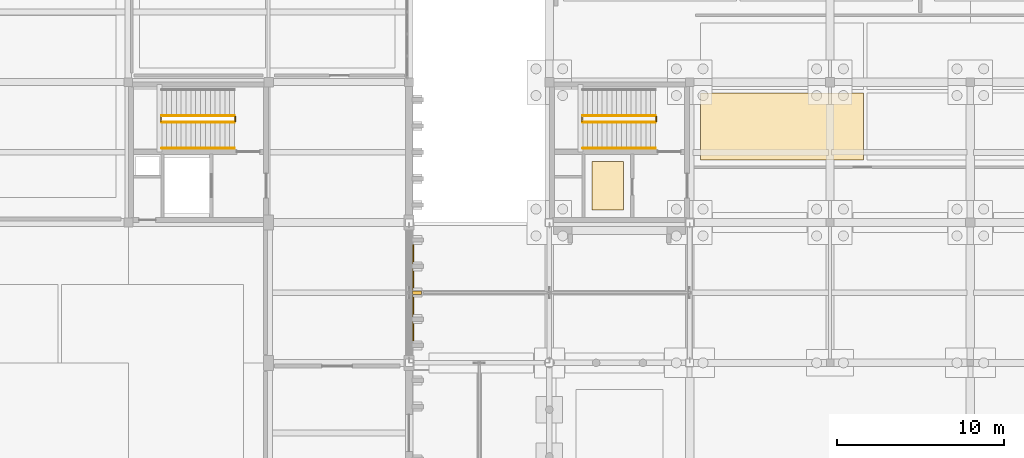
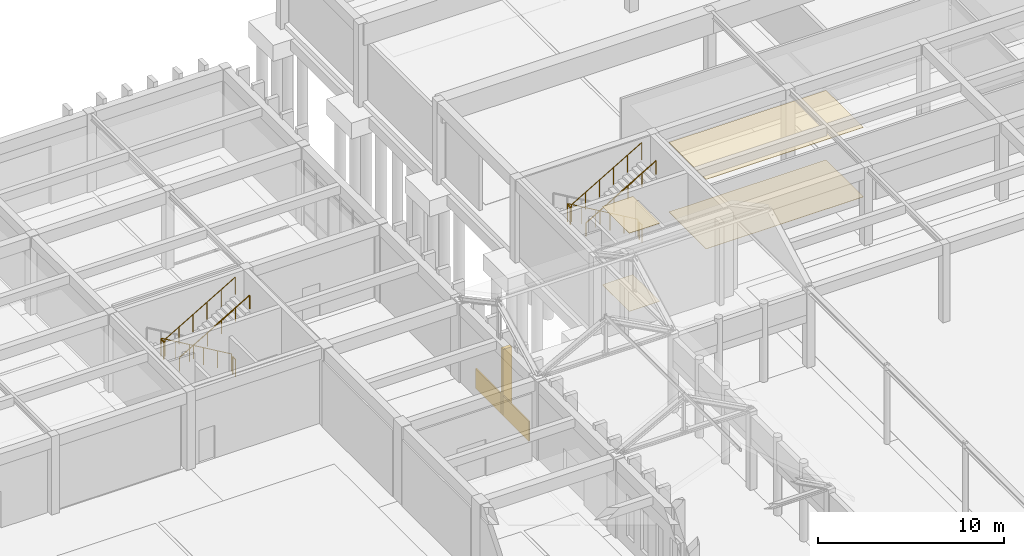
# One storey, part 136 of 143: 10 railings, 5 coverings, 1 shading device.
"""IFC4 building model written with IfcOpenShell, lengths in metres."""

from ifc_helpers import new_model, si_unit, direction, frame, origin, origin_2d, place, context, subcontext, project, spatial, rectangle, circle, extrude, material, layer, layer_set, type_object, element, save


model = new_model("IFC4")

# Units and contexts
model_context = context("Model", 3, precision=1e-05, world=origin(), true_north=direction((0.0, 1.0)))
body_context = subcontext(model_context, "Body", "Model", "MODEL_VIEW")
ifc_project = project(units=[si_unit("LENGTHUNIT", "METRE"), si_unit("AREAUNIT", "SQUARE_METRE"), si_unit("VOLUMEUNIT", "CUBIC_METRE"), si_unit("PLANEANGLEUNIT", "RADIAN"), si_unit("MASSUNIT", "GRAM", prefix="KILO")], contexts=[model_context])

# Site, building, storey
site_placement = place(None, origin())
site = spatial("IfcSite", under=ifc_project, at=site_placement, CompositionType="ELEMENT")
building_placement = place(site_placement, origin())
building = spatial("IfcBuilding", under=site, at=building_placement, Name="Kveldsbrygga Polytechnic", CompositionType="ELEMENT")
storey_placement = place(building_placement, origin())
storey = spatial("IfcBuildingStorey", under=building, at=storey_placement, Name="L00", CompositionType="ELEMENT", Elevation=0.0)

# Coverings
ifc_material_1 = material(Name="Iddefjord granite ashlar", Category="masonry")
ifc_layer_1 = layer(ifc_material_1, 0.080078125)
ifc_layer_set_1 = layer_set([ifc_layer_1], Name="Iddefjord granite ashlar")
covering_type_1 = type_object("IfcCoveringType", Name="CLD-GRAN-PLINTH", PredefinedType="CLADDING", material=ifc_layer_set_1)
covering_1_placement = place(storey_placement, frame((33.847900390625, 79.800048828125, 0.0), z_axis=(0.0, 0.0, 1.0), x_axis=(0.0, 1.0, 0.0)))
element("IfcCovering", 1, at=covering_1_placement, inside=storey, type_object=covering_type_1, Name="Granite Plinth Cladding Y-04-09", PredefinedType="CLADDING", context=body_context, shape_type="SweptSolid", body=[
    extrude(rectangle(XDim=5.72998046875, YDim=0.080078125, at=origin_2d()), origin(), (0.0, 0.0, 1.0), 1.300048828125),
])
ifc_material_2 = material(Name="Acoustic mineral baffle ceiling")
ifc_layer_2 = layer(ifc_material_2, 0.030029296875)
ifc_layer_set_2 = layer_set([ifc_layer_2], Name="Acoustic mineral baffle ceiling")
covering_type_2 = type_object("IfcCoveringType", Name="COV-CEIL-AC30", PredefinedType="CEILING", material=ifc_layer_set_2)
covering_2_placement = place(storey_placement, frame((55.925048828125, 89.75, 4.5498046875), z_axis=(0.0, 0.0, 1.0), x_axis=(1.0, 0.0, 0.0)))
element("IfcCovering", 2, at=covering_2_placement, inside=storey, type_object=covering_type_2, Name="Acoustic Ceiling SP-L00-SEM01-WS", PredefinedType="CEILING", context=body_context, shape_type="SweptSolid", body=[
    extrude(rectangle(XDim=9.75, YDim=4.0, at=origin_2d()), origin(), (0.0, 0.0, 1.0), 0.030029296875),
])
ifc_material_3 = material(Name="Gypsum acoustic ceiling")
ifc_layer_3 = layer(ifc_material_3, 0.02001953125)
ifc_layer_set_3 = layer_set([ifc_layer_3], Name="Gypsum acoustic ceiling")
covering_type_3 = type_object("IfcCoveringType", Name="COV-CEIL-GY20", PredefinedType="CEILING", material=ifc_layer_set_3)
covering_3_placement = place(storey_placement, frame((45.5, 86.199951171875, 5.119873046875), z_axis=(0.0, 0.0, 1.0), x_axis=(1.0, 0.0, 0.0)))
element("IfcCovering", 3, at=covering_3_placement, inside=storey, type_object=covering_type_3, Name="Acoustic Ceiling SP-C7-L00-STORE", PredefinedType="CEILING", context=body_context, shape_type="SweptSolid", body=[
    extrude(rectangle(XDim=1.89990234375, YDim=2.89990234375, at=origin_2d()), origin(), (0.0, 0.0, 1.0), 0.02001953125),
])
ifc_material_4 = material(Name="Heavy-duty quartz-filled epoxy resin flooring")
ifc_layer_4 = layer(ifc_material_4, 0.014892578125)
ifc_layer_set_4 = layer_set([ifc_layer_4], Name="Heavy-duty quartz-filled epoxy resin flooring")
covering_type_4 = type_object("IfcCoveringType", Name="COV-FLR-EPX15", PredefinedType="FLOORING", material=ifc_layer_set_4)
covering_4_placement = place(storey_placement, frame((45.5, 86.199951171875, 0.0), z_axis=(0.0, 0.0, 1.0), x_axis=(1.0, 0.0, 0.0)))
element("IfcCovering", 4, at=covering_4_placement, inside=storey, type_object=covering_type_4, Name="Room Flooring SP-C7-L00-STORE", PredefinedType="FLOORING", context=body_context, shape_type="SweptSolid", body=[
    extrude(rectangle(XDim=1.89990234375, YDim=2.89990234375, at=origin_2d()), origin(), (0.0, 0.0, 1.0), 0.014892578125),
])
ifc_material_5 = material(Name="Acoustic oak timber flooring", Category="wood")
ifc_layer_5 = layer(ifc_material_5, 0.02197265625)
ifc_layer_set_5 = layer_set([ifc_layer_5], Name="Acoustic oak timber flooring")
covering_type_5 = type_object("IfcCoveringType", Name="COV-FLR-OAK22", PredefinedType="FLOORING", material=ifc_layer_set_5)
covering_5_placement = place(storey_placement, frame((55.925048828125, 89.75, 0.0), z_axis=(0.0, 0.0, 1.0), x_axis=(1.0, 0.0, 0.0)))
element("IfcCovering", 5, at=covering_5_placement, inside=storey, type_object=covering_type_5, Name="Room Flooring SP-L00-SEM01-WS", PredefinedType="FLOORING", context=body_context, shape_type="SweptSolid", body=[
    extrude(rectangle(XDim=9.75, YDim=4.0, at=origin_2d()), origin(), (0.0, 0.0, 1.0), 0.02197265625),
])

# Shading device
ifc_material_6 = material(Name="Fired clay brick masonry M10", Category="masonry")
shading_device_type = type_object("IfcShadingDeviceType", Name="FIN-BRICK-550", PredefinedType="JALOUSIE", material=ifc_material_6)
shading_device_placement = place(storey_placement, frame((34.0810546875, 79.800048828125, 0.0), z_axis=(0.0, 0.0, 1.0), x_axis=(0.0, 1.0, 0.0)))
element("IfcShadingDevice", 6, at=shading_device_placement, inside=storey, type_object=shading_device_type, Name="Brick Shading Fin L00-Y-04-09", PredefinedType="JALOUSIE", context=body_context, shape_type="SweptSolid", body=[
    extrude(rectangle(XDim=0.219970703125, YDim=0.550048828125, at=origin_2d()), origin(), (0.0, 0.0, 1.0), 4.35009765625),
])

# Railings
ifc_material_7 = material(Name="Steel S355", Category="steel")
railing_type_1 = type_object("IfcRailingType", Name="RL-STAIR-GRD", PredefinedType="GUARDRAIL", material=ifc_material_7)
railing_1_placement = place(storey_placement, frame((48.35009765625, 90.39990234375, 0.169921875)))
element("IfcRailing", 7, at=railing_1_placement, inside=storey, type_object=railing_type_1, Name="L00 ST-7 stair guard 1", PredefinedType="GUARDRAIL", context=body_context, shape_type="SweptSolid", body=[
    extrude(circle(Radius=0.02392578125, at=origin_2d()), frame((0.0, 0.0, 1.1259765625), z_axis=(-0.862698698498, 0.0, 0.505718257145), x_axis=(0.0, -1.0, 0.0)), (0.0, 0.0, 1.0), 5.04248046875),
    extrude(circle(Radius=0.02099609375, at=origin_2d()), origin(), (0.0, 0.0, 1.0), 1.097900390625),
    extrude(circle(Radius=0.02099609375, at=origin_2d()), frame((-0.8701171875, 0.0, 0.510009765625)), (0.0, 0.0, 1.0), 1.097900390625),
    extrude(circle(Radius=0.02099609375, at=origin_2d()), frame((-1.739990234375, 0.0, 1.02001953125)), (0.0, 0.0, 1.0), 1.097900390625),
    extrude(circle(Radius=0.02099609375, at=origin_2d()), frame((-2.610107421875, 0.0, 1.530029296875)), (0.0, 0.0, 1.0), 1.097900390625),
    extrude(circle(Radius=0.02099609375, at=origin_2d()), frame((-3.47998046875, 0.0, 2.0400390625)), (0.0, 0.0, 1.0), 1.097900390625),
    extrude(circle(Radius=0.02099609375, at=origin_2d()), frame((-4.35009765625, 0.0, 2.550048828125)), (0.0, 0.0, 1.0), 1.097900390625),
])
railing_2_placement = place(storey_placement, frame((43.949951171875, 90.35009765625, 2.719970703125)))
element("IfcRailing", 8, at=railing_2_placement, inside=storey, type_object=railing_type_1, Name="L00 ST-7 stair guard 2", PredefinedType="GUARDRAIL", context=body_context, shape_type="SweptSolid", body=[
    extrude(circle(Radius=0.02392578125, at=origin_2d()), frame((0.0, 0.0, 1.1259765625), z_axis=(0.0, -1.0, 0.0), x_axis=(1.0, 0.0, 0.0)), (0.0, 0.0, 1.0), 0.300048828125),
    extrude(circle(Radius=0.02099609375, at=origin_2d()), origin(), (0.0, 0.0, 1.0), 1.097900390625),
    extrude(circle(Radius=0.02099609375, at=origin_2d()), frame((0.0, -0.300048828125, 0.0)), (0.0, 0.0, 1.0), 1.097900390625),
])
railing_3_placement = place(storey_placement, frame((44.0, 90.0, 2.889892578125)))
element("IfcRailing", 9, at=railing_3_placement, inside=storey, type_object=railing_type_1, Name="L00 ST-7 stair guard 3", PredefinedType="GUARDRAIL", context=body_context, shape_type="SweptSolid", body=[
    extrude(circle(Radius=0.02392578125, at=origin_2d()), frame((0.0, 0.0, 1.1259765625), z_axis=(0.862698698498, 0.0, 0.505718257145), x_axis=(0.0, 1.0, 0.0)), (0.0, 0.0, 1.0), 5.04248046875),
    extrude(circle(Radius=0.02099609375, at=origin_2d()), origin(), (0.0, 0.0, 1.0), 1.097900390625),
    extrude(circle(Radius=0.02099609375, at=origin_2d()), frame((0.8701171875, 0.0, 0.510009765625)), (0.0, 0.0, 1.0), 1.097900390625),
    extrude(circle(Radius=0.02099609375, at=origin_2d()), frame((1.739990234375, 0.0, 1.02001953125)), (0.0, 0.0, 1.0), 1.097900390625),
    extrude(circle(Radius=0.02099609375, at=origin_2d()), frame((2.610107421875, 0.0, 1.530029296875)), (0.0, 0.0, 1.0), 1.097900390625),
    extrude(circle(Radius=0.02099609375, at=origin_2d()), frame((3.47998046875, 0.0, 2.0400390625)), (0.0, 0.0, 1.0), 1.097900390625),
    extrude(circle(Radius=0.02099609375, at=origin_2d()), frame((4.35009765625, 0.0, 2.550048828125)), (0.0, 0.0, 1.0), 1.097900390625),
])
railing_4_placement = place(storey_placement, frame((48.39990234375, 90.35009765625, 0.0)))
element("IfcRailing", 10, at=railing_4_placement, inside=storey, type_object=railing_type_1, Name="L00 ST-7 stair guard 4", PredefinedType="GUARDRAIL", context=body_context, shape_type="SweptSolid", body=[
    extrude(circle(Radius=0.02392578125, at=origin_2d()), frame((0.0, 0.0, 1.1259765625), z_axis=(0.0, -1.0, 0.0), x_axis=(1.0, 0.0, 0.0)), (0.0, 0.0, 1.0), 0.300048828125),
    extrude(circle(Radius=0.02099609375, at=origin_2d()), origin(), (0.0, 0.0, 1.0), 1.097900390625),
    extrude(circle(Radius=0.02099609375, at=origin_2d()), frame((0.0, -0.300048828125, 0.0)), (0.0, 0.0, 1.0), 1.097900390625),
])
railing_5_placement = place(storey_placement, frame((23.14990234375, 90.39990234375, 0.169921875)))
element("IfcRailing", 11, at=railing_5_placement, inside=storey, type_object=railing_type_1, Name="L00 ST-8 stair guard 1", PredefinedType="GUARDRAIL", context=body_context, shape_type="SweptSolid", body=[
    extrude(circle(Radius=0.02392578125, at=origin_2d()), frame((0.0, 0.0, 1.1259765625), z_axis=(-0.862686314962, 0.0, 0.505739381477), x_axis=(0.0, -1.0, 0.0)), (0.0, 0.0, 1.0), 5.042236328125),
    extrude(circle(Radius=0.02099609375, at=origin_2d()), origin(), (0.0, 0.0, 1.0), 1.097900390625),
    extrude(circle(Radius=0.02099609375, at=origin_2d()), frame((-0.869873046875, 0.0, 0.510009765625)), (0.0, 0.0, 1.0), 1.097900390625),
    extrude(circle(Radius=0.02099609375, at=origin_2d()), frame((-1.739990234375, 0.0, 1.02001953125)), (0.0, 0.0, 1.0), 1.097900390625),
    extrude(circle(Radius=0.02099609375, at=origin_2d()), frame((-2.60986328125, 0.0, 1.530029296875)), (0.0, 0.0, 1.0), 1.097900390625),
    extrude(circle(Radius=0.02099609375, at=origin_2d()), frame((-3.47998046875, 0.0, 2.0400390625)), (0.0, 0.0, 1.0), 1.097900390625),
    extrude(circle(Radius=0.02099609375, at=origin_2d()), frame((-4.349853515625, 0.0, 2.550048828125)), (0.0, 0.0, 1.0), 1.097900390625),
])
railing_6_placement = place(storey_placement, frame((18.75, 90.35009765625, 2.719970703125)))
element("IfcRailing", 12, at=railing_6_placement, inside=storey, type_object=railing_type_1, Name="L00 ST-8 stair guard 2", PredefinedType="GUARDRAIL", context=body_context, shape_type="SweptSolid", body=[
    extrude(circle(Radius=0.02392578125, at=origin_2d()), frame((0.0, 0.0, 1.1259765625), z_axis=(0.0, -1.0, 0.0), x_axis=(1.0, 0.0, 0.0)), (0.0, 0.0, 1.0), 0.300048828125),
    extrude(circle(Radius=0.02099609375, at=origin_2d()), origin(), (0.0, 0.0, 1.0), 1.097900390625),
    extrude(circle(Radius=0.02099609375, at=origin_2d()), frame((0.0, -0.300048828125, 0.0)), (0.0, 0.0, 1.0), 1.097900390625),
])
railing_7_placement = place(storey_placement, frame((18.800048828125, 90.0, 2.889892578125)))
element("IfcRailing", 13, at=railing_7_placement, inside=storey, type_object=railing_type_1, Name="L00 ST-8 stair guard 3", PredefinedType="GUARDRAIL", context=body_context, shape_type="SweptSolid", body=[
    extrude(circle(Radius=0.02392578125, at=origin_2d()), frame((0.0, 0.0, 1.1259765625), z_axis=(0.862686314962, 0.0, 0.505739381477), x_axis=(0.0, 1.0, 0.0)), (0.0, 0.0, 1.0), 5.042236328125),
    extrude(circle(Radius=0.02099609375, at=origin_2d()), origin(), (0.0, 0.0, 1.0), 1.097900390625),
    extrude(circle(Radius=0.02099609375, at=origin_2d()), frame((0.869873046875, 0.0, 0.510009765625)), (0.0, 0.0, 1.0), 1.097900390625),
    extrude(circle(Radius=0.02099609375, at=origin_2d()), frame((1.739990234375, 0.0, 1.02001953125)), (0.0, 0.0, 1.0), 1.097900390625),
    extrude(circle(Radius=0.02099609375, at=origin_2d()), frame((2.60986328125, 0.0, 1.530029296875)), (0.0, 0.0, 1.0), 1.097900390625),
    extrude(circle(Radius=0.02099609375, at=origin_2d()), frame((3.47998046875, 0.0, 2.0400390625)), (0.0, 0.0, 1.0), 1.097900390625),
    extrude(circle(Radius=0.02099609375, at=origin_2d()), frame((4.349853515625, 0.0, 2.550048828125)), (0.0, 0.0, 1.0), 1.097900390625),
])
railing_8_placement = place(storey_placement, frame((23.199951171875, 90.35009765625, 0.0)))
element("IfcRailing", 14, at=railing_8_placement, inside=storey, type_object=railing_type_1, Name="L00 ST-8 stair guard 4", PredefinedType="GUARDRAIL", context=body_context, shape_type="SweptSolid", body=[
    extrude(circle(Radius=0.02392578125, at=origin_2d()), frame((0.0, 0.0, 1.1259765625), z_axis=(0.0, -1.0, 0.0), x_axis=(1.0, 0.0, 0.0)), (0.0, 0.0, 1.0), 0.300048828125),
    extrude(circle(Radius=0.02099609375, at=origin_2d()), origin(), (0.0, 0.0, 1.0), 1.097900390625),
    extrude(circle(Radius=0.02099609375, at=origin_2d()), frame((0.0, -0.300048828125, 0.0)), (0.0, 0.0, 1.0), 1.097900390625),
])
railing_type_2 = type_object("IfcRailingType", Name="RL-STAIR-HND", PredefinedType="HANDRAIL", material=ifc_material_7)
railing_9_placement = place(storey_placement, frame((44.0, 88.449951171875, 2.889892578125)))
element("IfcRailing", 15, at=railing_9_placement, inside=storey, type_object=railing_type_2, Name="L00 ST-7 stair handrail 2", PredefinedType="HANDRAIL", context=body_context, shape_type="SweptSolid", body=[
    extrude(circle(Radius=0.02392578125, at=origin_2d()), frame((0.0, 0.0, 0.8759765625), z_axis=(0.862698698498, 0.0, 0.505718257145), x_axis=(0.0, 1.0, 0.0)), (0.0, 0.0, 1.0), 5.04248046875),
    extrude(circle(Radius=0.02099609375, at=origin_2d()), origin(), (0.0, 0.0, 1.0), 0.847900390625),
    extrude(circle(Radius=0.02099609375, at=origin_2d()), frame((0.8701171875, 0.0, 0.510009765625)), (0.0, 0.0, 1.0), 0.847900390625),
    extrude(circle(Radius=0.02099609375, at=origin_2d()), frame((1.739990234375, 0.0, 1.02001953125)), (0.0, 0.0, 1.0), 0.847900390625),
    extrude(circle(Radius=0.02099609375, at=origin_2d()), frame((2.610107421875, 0.0, 1.530029296875)), (0.0, 0.0, 1.0), 0.847900390625),
    extrude(circle(Radius=0.02099609375, at=origin_2d()), frame((3.47998046875, 0.0, 2.0400390625)), (0.0, 0.0, 1.0), 0.847900390625),
    extrude(circle(Radius=0.02099609375, at=origin_2d()), frame((4.35009765625, 0.0, 2.550048828125)), (0.0, 0.0, 1.0), 0.847900390625),
])
railing_10_placement = place(storey_placement, frame((18.800048828125, 88.449951171875, 2.889892578125)))
element("IfcRailing", 16, at=railing_10_placement, inside=storey, type_object=railing_type_2, Name="L00 ST-8 stair handrail 2", PredefinedType="HANDRAIL", context=body_context, shape_type="SweptSolid", body=[
    extrude(circle(Radius=0.02392578125, at=origin_2d()), frame((0.0, 0.0, 0.8759765625), z_axis=(0.862686314962, 0.0, 0.505739381477), x_axis=(0.0, 1.0, 0.0)), (0.0, 0.0, 1.0), 5.042236328125),
    extrude(circle(Radius=0.02099609375, at=origin_2d()), origin(), (0.0, 0.0, 1.0), 0.847900390625),
    extrude(circle(Radius=0.02099609375, at=origin_2d()), frame((0.869873046875, 0.0, 0.510009765625)), (0.0, 0.0, 1.0), 0.847900390625),
    extrude(circle(Radius=0.02099609375, at=origin_2d()), frame((1.739990234375, 0.0, 1.02001953125)), (0.0, 0.0, 1.0), 0.847900390625),
    extrude(circle(Radius=0.02099609375, at=origin_2d()), frame((2.60986328125, 0.0, 1.530029296875)), (0.0, 0.0, 1.0), 0.847900390625),
    extrude(circle(Radius=0.02099609375, at=origin_2d()), frame((3.47998046875, 0.0, 2.0400390625)), (0.0, 0.0, 1.0), 0.847900390625),
    extrude(circle(Radius=0.02099609375, at=origin_2d()), frame((4.349853515625, 0.0, 2.550048828125)), (0.0, 0.0, 1.0), 0.847900390625),
])

save(model, "model.ifc")
